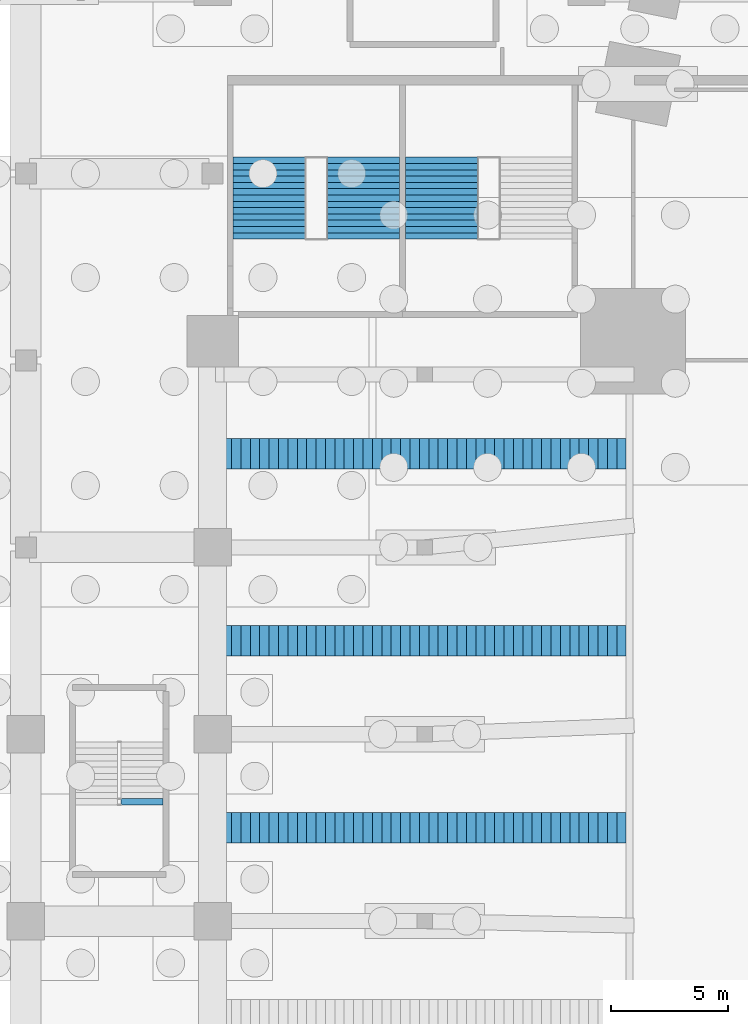
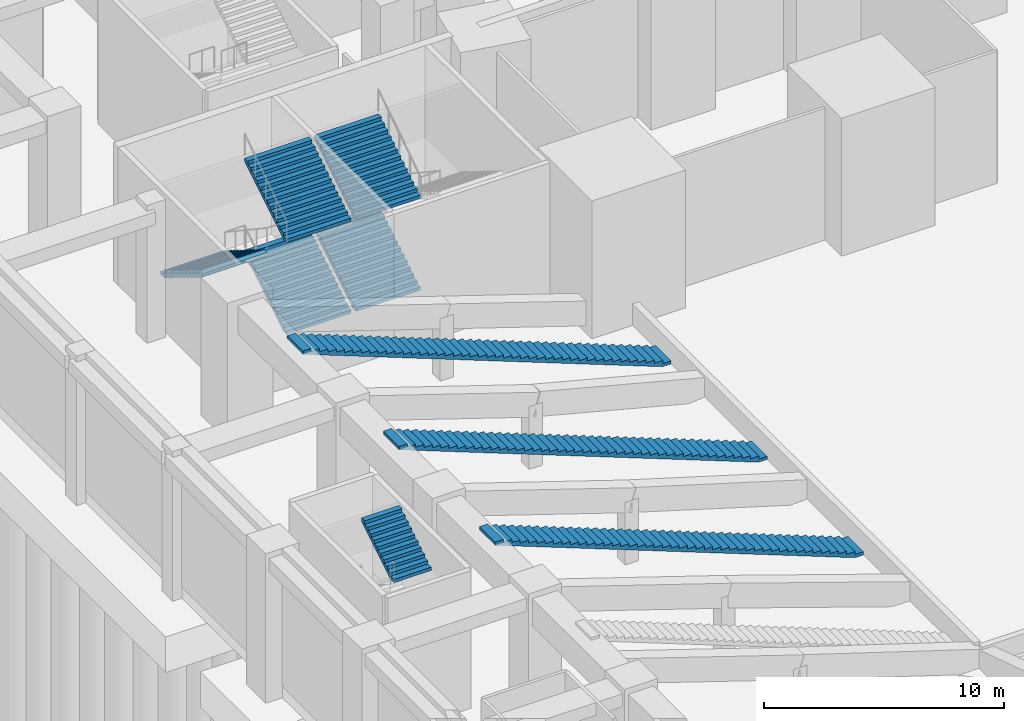
# One storey, part 15 of 30: 9 stair flights, 6 elements without a shape of their own.
"""IFC4 building model written with IfcOpenShell, lengths in metres."""

import ifcopenshell
import ifcopenshell.guid

model = None  # the IFC model being written
_history = None  # IfcOwnerHistory: only IFC2X3 demands one
_inside = {}  # id of a spatial element -> (the spatial element, [elements in it])
_under = {}  # id of a project, library or spatial element -> (it, [spatial elements below it])
_declared = {}  # id of a project -> (the project, [libraries it declares])
_typed = {}  # id of a type object -> (the type object, [elements of that type])
_made_of = {}  # id of a material, layer set ... -> (it, [elements and type objects made of it])


def new_model(schema):
    """Start an empty IFC model of exactly this schema.

    Asked for "IFC4X3", IfcOpenShell would pick the latest addendum, in which some entities
    have other attributes; the version numbers below select the first issue.
    IFC2X3 requires an IfcOwnerHistory on every rooted entity: one is made here for all.
    """
    global model, _history
    if schema == "IFC4X3":
        model = ifcopenshell.file(schema_version=(4, 3, 0, 0))
    else:
        model = ifcopenshell.file(schema=schema)
    _inside.clear()
    _under.clear()
    _declared.clear()
    _typed.clear()
    _made_of.clear()
    _history = None
    if model.schema == "IFC2X3":
        org = make("IfcOrganization", Name="unknown")
        user = make(
            "IfcPersonAndOrganization",
            ThePerson=make("IfcPerson", FamilyName="unknown"),
            TheOrganization=org,
        )
        app = make(
            "IfcApplication",
            ApplicationDeveloper=org,
            Version="unknown",
            ApplicationFullName="unknown",
            ApplicationIdentifier="unknown",
        )
        _history = make(
            "IfcOwnerHistory",
            OwningUser=user,
            OwningApplication=app,
            ChangeAction="ADDED",
            CreationDate=0,
        )
    return model


def make(cls, **values):
    """One entity of the class cls with the attributes given. An attribute that is None is left unset."""
    return model.create_entity(
        cls, **{name: value for name, value in values.items() if value is not None}
    )


def rooted(cls, **values):
    """An entity with a GlobalId (a new one), such as an element, a storey or a relation."""
    return make(cls, GlobalId=ifcopenshell.guid.new(), OwnerHistory=_history, **values)


def si_unit(unit_type, name, prefix=None):
    """IfcSIUnit, for example si_unit("LENGTHUNIT", "METRE", prefix="MILLI")."""
    return make("IfcSIUnit", UnitType=unit_type, Prefix=prefix, Name=name)


def assignment(units):
    """IfcUnitAssignment: the units of a project."""
    return None if units is None else make("IfcUnitAssignment", Units=units)


def point(xyz):
    """IfcCartesianPoint."""
    return None if xyz is None else make("IfcCartesianPoint", Coordinates=xyz)


def direction(xyz):
    """IfcDirection."""
    return None if xyz is None else make("IfcDirection", DirectionRatios=xyz)


def frame(location, z_axis=None, x_axis=None):
    """IfcAxis2Placement3D, a coordinate frame: its origin and axes. An axis left out is left unset."""
    return make(
        "IfcAxis2Placement3D",
        Location=point(location),
        Axis=direction(z_axis),
        RefDirection=direction(x_axis),
    )


def origin():
    """The frame at (0, 0, 0) with its axes left unset."""
    return frame((0.0, 0.0, 0.0))


def place(relative_to, where):
    """IfcLocalPlacement: puts the frame where relative to a parent placement (None: the world)."""
    return make(
        "IfcLocalPlacement", PlacementRelTo=relative_to, RelativePlacement=where
    )


def context(
    kind, dimensions, precision=None, world=None, true_north=None, identifier=None
):
    """IfcGeometricRepresentationContext, for example the 3D "Model" context."""
    return make(
        "IfcGeometricRepresentationContext",
        ContextIdentifier=identifier,
        ContextType=kind,
        CoordinateSpaceDimension=dimensions,
        Precision=precision,
        WorldCoordinateSystem=world,
        TrueNorth=true_north,
    )


def subcontext(parent, identifier, kind, view, scale=None):
    """IfcGeometricRepresentationSubContext, for example "Body" below "Model"."""
    return make(
        "IfcGeometricRepresentationSubContext",
        ContextIdentifier=identifier,
        ContextType=kind,
        ParentContext=parent,
        TargetScale=scale,
        TargetView=view,
    )


def project(units=None, contexts=None):
    """IfcProject with its units and contexts."""
    return rooted(
        "IfcProject",
        Name="project",
        RepresentationContexts=contexts,
        UnitsInContext=assignment(units),
    )


def spatial(cls, under=None, at=None, **own):
    """A site, building, storey or space (cls), placed at a placement, below another one or the project."""
    s = rooted(cls, ObjectPlacement=at, **own)
    if under is not None:
        _under.setdefault(under.id(), (under, []))[1].append(s)
    return s


def polyline(points):
    """IfcPolyline through the points."""
    return make("IfcPolyline", Points=[point(p) for p in points])


def outline(outer, holes=None, kind="AREA"):
    """IfcArbitraryClosedProfileDef: a profile drawn as a closed curve; with holes, ...WithVoids."""
    if holes is None:
        return make("IfcArbitraryClosedProfileDef", ProfileType=kind, OuterCurve=outer)
    return make(
        "IfcArbitraryProfileDefWithVoids",
        ProfileType=kind,
        OuterCurve=outer,
        InnerCurves=holes,
    )


def extrude(swept, where, along, depth):
    """IfcExtrudedAreaSolid: the profile swept, set in the frame where, extruded along a direction by depth."""
    return make(
        "IfcExtrudedAreaSolid",
        SweptArea=swept,
        Position=where,
        ExtrudedDirection=direction(along),
        Depth=depth,
    )


def shape(context_of_items, identifier, shape_type, items):
    """IfcShapeRepresentation: the items that make up one representation, for example the "Body"."""
    return make(
        "IfcShapeRepresentation",
        ContextOfItems=context_of_items,
        RepresentationIdentifier=identifier,
        RepresentationType=shape_type,
        Items=items,
    )


def material(Name=None, Category=None):
    """IfcMaterial."""
    return make("IfcMaterial", Name=Name, Category=Category)


def made_of(thing, what):
    """Note that an element or type object is made of a material, layer set ...; save() writes the relation."""
    if what is not None:
        _made_of.setdefault(what.id(), (what, []))[1].append(thing)
    return thing


def type_object(cls, material=None, **own):
    """A type object (cls), such as IfcWallType, which elements share."""
    return made_of(rooted(cls, **own), material)


def element(
    cls,
    number,
    at=None,
    inside=None,
    cuts=None,
    type_object=None,
    material=None,
    context=None,
    identifier="Body",
    shape_type=None,
    held_by="IfcProductDefinitionShape",
    body=None,
    shapes=None,
    **own,
):
    """One element of the class cls, such as IfcWall. Its Tag is "e" and its number.

    at: its placement. inside: the storey or other place that contains it. cuts: it is an
    opening in that element (IfcRelVoidsElement). A single representation is given by context,
    identifier, shape_type and body (its items); several are given by shapes. held_by: the class
    of the entity that holds the representations. save() writes the other relations.
    """
    e = rooted(cls, Tag="e%d" % number, ObjectPlacement=at, **own)
    if body is not None:
        shapes = [shape(context, identifier, shape_type, body)]
    if shapes is not None:
        e.Representation = make(held_by, Representations=shapes)
    if inside is not None:
        _inside.setdefault(inside.id(), (inside, []))[1].append(e)
    if cuts is not None:
        rooted(
            "IfcRelVoidsElement", RelatingBuildingElement=cuts, RelatedOpeningElement=e
        )
    if type_object is not None:
        _typed.setdefault(type_object.id(), (type_object, []))[1].append(e)
    return made_of(e, material)


def aggregate(whole, parts):
    """IfcRelAggregates: a whole, such as a stair, and the parts it consists of."""
    return rooted("IfcRelAggregates", RelatingObject=whole, RelatedObjects=parts)


def save(model, path):
    """Write the relations noted so far, then the file.

    IfcRelAggregates (storeys below a building ...), IfcRelContainedInSpatialStructure (elements
    in a storey), IfcRelDefinesByType, IfcRelAssociatesMaterial and IfcRelDeclares: one each for
    every whole, place, type object, material and project.
    """
    for whole, parts in _under.values():
        aggregate(whole, parts)
    for where, things in _inside.values():
        rooted(
            "IfcRelContainedInSpatialStructure",
            RelatedElements=things,
            RelatingStructure=where,
        )
    for kind, things in _typed.values():
        rooted("IfcRelDefinesByType", RelatedObjects=things, RelatingType=kind)
    for what, things in _made_of.values():
        rooted("IfcRelAssociatesMaterial", RelatedObjects=things, RelatingMaterial=what)
    for by, libraries in _declared.values():
        rooted("IfcRelDeclares", RelatingContext=by, RelatedDefinitions=libraries)
    model.write(path)


model = new_model("IFC4")

# Units and contexts
model_context = context("Model", 3, precision=1e-05, world=origin(), true_north=direction((0.0, 1.0)))
body_context = subcontext(model_context, "Body", "Model", "MODEL_VIEW")
ifc_project = project(units=[si_unit("LENGTHUNIT", "METRE"), si_unit("AREAUNIT", "SQUARE_METRE"), si_unit("VOLUMEUNIT", "CUBIC_METRE"), si_unit("PLANEANGLEUNIT", "RADIAN"), si_unit("MASSUNIT", "GRAM", prefix="KILO")], contexts=[model_context])

# Site, building, storey
site_placement = place(None, origin())
site = spatial("IfcSite", under=ifc_project, at=site_placement, CompositionType="ELEMENT")
building_placement = place(site_placement, origin())
building = spatial("IfcBuilding", under=site, at=building_placement, Name="Isbrekke Arena Tower", CompositionType="ELEMENT")
storey_placement = place(building_placement, frame((0.0, 0.0, -7.0)))
storey = spatial("IfcBuildingStorey", under=building, at=storey_placement, Name="B1", CompositionType="ELEMENT", Elevation=-7.0)

# Stair, stair flight
ifc_material_1 = material(Name="Concrete B45 (C45/55) precast", Category="concrete")
stair_type_1 = type_object("IfcStairType", Name="AS402 AISLE STAIR 1300 WIDE, 45 RISERS 155", PredefinedType="STRAIGHT_RUN_STAIR", material=ifc_material_1)
stair_1_placement = place(storey_placement, origin())
stair_1 = element("IfcStair", 1, at=stair_1_placement, inside=storey, type_object=stair_type_1, Name="AW38 aisle stair", PredefinedType="STRAIGHT_RUN_STAIR")
ifc_material_2 = material(Name="Concrete B45 (C45/55) precast", Category="concrete")
stair_flight_type_1 = type_object("IfcStairFlightType", Name="AF 1300 AISLE FLIGHT 402", PredefinedType="STRAIGHT", material=ifc_material_2)
stair_flight_1_placement = place(storey_placement, frame((-30.300048828125, -38.0, 0.0), z_axis=(0.0, 0.0, 1.0), x_axis=(-1.0, 0.0, 0.0)))
stair_flight_1 = element("IfcStairFlight", 2, at=stair_flight_1_placement, type_object=stair_flight_type_1, Name="AW38 flight 1", NumberOfRisers=45, NumberOfTreads=44, PredefinedType="STRAIGHT", RiserHeight=0.155555556, TreadLength=0.4023, context=body_context, shape_type="SweptSolid", body=[
    extrude(outline(polyline([(0.0, 0.0), (0.0, 0.155517578125), (0.40234375, 0.155517578125), (0.40234375, 0.31103515625), (0.8046875, 0.31103515625), (0.8046875, 0.466552734375), (1.206787109375, 0.466552734375), (1.206787109375, 0.622314453125), (1.609130859375, 0.622314453125), (1.609130859375, 0.77783203125), (2.011474609375, 0.77783203125), (2.011474609375, 0.933349609375), (2.413818359375, 0.933349609375), (2.413818359375, 1.0888671875), (2.816162109375, 1.0888671875), (2.816162109375, 1.244384765625), (3.218505859375, 1.244384765625), (3.218505859375, 1.39990234375), (3.62060546875, 1.39990234375), (3.62060546875, 1.5556640625), (4.02294921875, 1.5556640625), (4.02294921875, 1.711181640625), (4.42529296875, 1.711181640625), (4.42529296875, 1.86669921875), (4.82763671875, 1.86669921875), (4.82763671875, 2.022216796875), (5.22998046875, 2.022216796875), (5.22998046875, 2.177734375), (5.632080078125, 2.177734375), (5.632080078125, 2.333251953125), (6.034423828125, 2.333251953125), (6.034423828125, 2.48876953125), (6.436767578125, 2.48876953125), (6.436767578125, 2.64453125), (6.839111328125, 2.64453125), (6.839111328125, 2.800048828125), (7.241455078125, 2.800048828125), (7.241455078125, 2.95556640625), (7.643798828125, 2.95556640625), (7.643798828125, 3.111083984375), (8.0458984375, 3.111083984375), (8.0458984375, 3.2666015625), (8.4482421875, 3.2666015625), (8.4482421875, 3.422119140625), (8.8505859375, 3.422119140625), (8.8505859375, 3.577880859375), (9.2529296875, 3.577880859375), (9.2529296875, 3.7333984375), (9.6552734375, 3.7333984375), (9.6552734375, 3.888916015625), (10.0576171875, 3.888916015625), (10.0576171875, 4.04443359375), (10.459716796875, 4.04443359375), (10.459716796875, 4.199951171875), (10.862060546875, 4.199951171875), (10.862060546875, 4.35546875), (11.264404296875, 4.35546875), (11.264404296875, 4.51123046875), (11.666748046875, 4.51123046875), (11.666748046875, 4.666748046875), (12.069091796875, 4.666748046875), (12.069091796875, 4.822265625), (12.47119140625, 4.822265625), (12.47119140625, 4.977783203125), (12.87353515625, 4.977783203125), (12.87353515625, 5.13330078125), (13.27587890625, 5.13330078125), (13.27587890625, 5.288818359375), (13.67822265625, 5.288818359375), (13.67822265625, 5.4443359375), (14.08056640625, 5.4443359375), (14.08056640625, 5.60009765625), (14.48291015625, 5.60009765625), (14.48291015625, 5.755615234375), (14.885009765625, 5.755615234375), (14.885009765625, 5.9111328125), (15.287353515625, 5.9111328125), (15.287353515625, 6.066650390625), (15.689697265625, 6.066650390625), (15.689697265625, 6.22216796875), (16.092041015625, 6.22216796875), (16.092041015625, 6.377685546875), (16.494384765625, 6.377685546875), (16.494384765625, 6.533447265625), (16.896484375, 6.533447265625), (16.896484375, 6.68896484375), (17.298828125, 6.68896484375), (17.298828125, 6.844482421875), (17.701171875, 6.844482421875), (17.701171875, 7.0), (17.701171875, 6.683837890625), (0.415771484375, 0.0), (0.0, 0.0)])), frame((0.0, 0.64990234375, 0.0), z_axis=(0.0, -1.0, 0.0), x_axis=(1.0, 0.0, 0.0)), (0.0, 0.0, 1.0), 1.300048828125),
])
aggregate(stair_1, [stair_flight_1])

stair_2_placement = place(storey_placement, origin())
stair_2 = element("IfcStair", 3, at=stair_2_placement, inside=storey, type_object=stair_type_1, Name="AW30 aisle stair", PredefinedType="STRAIGHT_RUN_STAIR")
stair_flight_2_placement = place(storey_placement, frame((-30.300048828125, -30.0, 0.0), z_axis=(0.0, 0.0, 1.0), x_axis=(-1.0, 0.0, 0.0)))
stair_flight_2 = element("IfcStairFlight", 4, at=stair_flight_2_placement, type_object=stair_flight_type_1, Name="AW30 flight 1", NumberOfRisers=45, NumberOfTreads=44, PredefinedType="STRAIGHT", RiserHeight=0.155555556, TreadLength=0.4023, context=body_context, shape_type="SweptSolid", body=[
    extrude(outline(polyline([(0.0, 0.0), (0.0, 0.155517578125), (0.40234375, 0.155517578125), (0.40234375, 0.31103515625), (0.8046875, 0.31103515625), (0.8046875, 0.466552734375), (1.206787109375, 0.466552734375), (1.206787109375, 0.622314453125), (1.609130859375, 0.622314453125), (1.609130859375, 0.77783203125), (2.011474609375, 0.77783203125), (2.011474609375, 0.933349609375), (2.413818359375, 0.933349609375), (2.413818359375, 1.0888671875), (2.816162109375, 1.0888671875), (2.816162109375, 1.244384765625), (3.218505859375, 1.244384765625), (3.218505859375, 1.39990234375), (3.62060546875, 1.39990234375), (3.62060546875, 1.5556640625), (4.02294921875, 1.5556640625), (4.02294921875, 1.711181640625), (4.42529296875, 1.711181640625), (4.42529296875, 1.86669921875), (4.82763671875, 1.86669921875), (4.82763671875, 2.022216796875), (5.22998046875, 2.022216796875), (5.22998046875, 2.177734375), (5.632080078125, 2.177734375), (5.632080078125, 2.333251953125), (6.034423828125, 2.333251953125), (6.034423828125, 2.48876953125), (6.436767578125, 2.48876953125), (6.436767578125, 2.64453125), (6.839111328125, 2.64453125), (6.839111328125, 2.800048828125), (7.241455078125, 2.800048828125), (7.241455078125, 2.95556640625), (7.643798828125, 2.95556640625), (7.643798828125, 3.111083984375), (8.0458984375, 3.111083984375), (8.0458984375, 3.2666015625), (8.4482421875, 3.2666015625), (8.4482421875, 3.422119140625), (8.8505859375, 3.422119140625), (8.8505859375, 3.577880859375), (9.2529296875, 3.577880859375), (9.2529296875, 3.7333984375), (9.6552734375, 3.7333984375), (9.6552734375, 3.888916015625), (10.0576171875, 3.888916015625), (10.0576171875, 4.04443359375), (10.459716796875, 4.04443359375), (10.459716796875, 4.199951171875), (10.862060546875, 4.199951171875), (10.862060546875, 4.35546875), (11.264404296875, 4.35546875), (11.264404296875, 4.51123046875), (11.666748046875, 4.51123046875), (11.666748046875, 4.666748046875), (12.069091796875, 4.666748046875), (12.069091796875, 4.822265625), (12.47119140625, 4.822265625), (12.47119140625, 4.977783203125), (12.87353515625, 4.977783203125), (12.87353515625, 5.13330078125), (13.27587890625, 5.13330078125), (13.27587890625, 5.288818359375), (13.67822265625, 5.288818359375), (13.67822265625, 5.4443359375), (14.08056640625, 5.4443359375), (14.08056640625, 5.60009765625), (14.48291015625, 5.60009765625), (14.48291015625, 5.755615234375), (14.885009765625, 5.755615234375), (14.885009765625, 5.9111328125), (15.287353515625, 5.9111328125), (15.287353515625, 6.066650390625), (15.689697265625, 6.066650390625), (15.689697265625, 6.22216796875), (16.092041015625, 6.22216796875), (16.092041015625, 6.377685546875), (16.494384765625, 6.377685546875), (16.494384765625, 6.533447265625), (16.896484375, 6.533447265625), (16.896484375, 6.68896484375), (17.298828125, 6.68896484375), (17.298828125, 6.844482421875), (17.701171875, 6.844482421875), (17.701171875, 7.0), (17.701171875, 6.683837890625), (0.415771484375, 0.0), (0.0, 0.0)])), frame((0.0, 0.64990234375, 0.0), z_axis=(0.0, -1.0, 0.0), x_axis=(1.0, 0.0, 0.0)), (0.0, 0.0, 1.0), 1.300048828125),
])
aggregate(stair_2, [stair_flight_2])

stair_3_placement = place(storey_placement, origin())
stair_3 = element("IfcStair", 5, at=stair_3_placement, inside=storey, type_object=stair_type_1, Name="AW22 aisle stair", PredefinedType="STRAIGHT_RUN_STAIR")
stair_flight_3_placement = place(storey_placement, frame((-30.300048828125, -22.0, 0.0), z_axis=(0.0, 0.0, 1.0), x_axis=(-1.0, 0.0, 0.0)))
stair_flight_3 = element("IfcStairFlight", 6, at=stair_flight_3_placement, type_object=stair_flight_type_1, Name="AW22 flight 1", NumberOfRisers=45, NumberOfTreads=44, PredefinedType="STRAIGHT", RiserHeight=0.155555556, TreadLength=0.4023, context=body_context, shape_type="SweptSolid", body=[
    extrude(outline(polyline([(0.0, 0.0), (0.0, 0.155517578125), (0.40234375, 0.155517578125), (0.40234375, 0.31103515625), (0.8046875, 0.31103515625), (0.8046875, 0.466552734375), (1.206787109375, 0.466552734375), (1.206787109375, 0.622314453125), (1.609130859375, 0.622314453125), (1.609130859375, 0.77783203125), (2.011474609375, 0.77783203125), (2.011474609375, 0.933349609375), (2.413818359375, 0.933349609375), (2.413818359375, 1.0888671875), (2.816162109375, 1.0888671875), (2.816162109375, 1.244384765625), (3.218505859375, 1.244384765625), (3.218505859375, 1.39990234375), (3.62060546875, 1.39990234375), (3.62060546875, 1.5556640625), (4.02294921875, 1.5556640625), (4.02294921875, 1.711181640625), (4.42529296875, 1.711181640625), (4.42529296875, 1.86669921875), (4.82763671875, 1.86669921875), (4.82763671875, 2.022216796875), (5.22998046875, 2.022216796875), (5.22998046875, 2.177734375), (5.632080078125, 2.177734375), (5.632080078125, 2.333251953125), (6.034423828125, 2.333251953125), (6.034423828125, 2.48876953125), (6.436767578125, 2.48876953125), (6.436767578125, 2.64453125), (6.839111328125, 2.64453125), (6.839111328125, 2.800048828125), (7.241455078125, 2.800048828125), (7.241455078125, 2.95556640625), (7.643798828125, 2.95556640625), (7.643798828125, 3.111083984375), (8.0458984375, 3.111083984375), (8.0458984375, 3.2666015625), (8.4482421875, 3.2666015625), (8.4482421875, 3.422119140625), (8.8505859375, 3.422119140625), (8.8505859375, 3.577880859375), (9.2529296875, 3.577880859375), (9.2529296875, 3.7333984375), (9.6552734375, 3.7333984375), (9.6552734375, 3.888916015625), (10.0576171875, 3.888916015625), (10.0576171875, 4.04443359375), (10.459716796875, 4.04443359375), (10.459716796875, 4.199951171875), (10.862060546875, 4.199951171875), (10.862060546875, 4.35546875), (11.264404296875, 4.35546875), (11.264404296875, 4.51123046875), (11.666748046875, 4.51123046875), (11.666748046875, 4.666748046875), (12.069091796875, 4.666748046875), (12.069091796875, 4.822265625), (12.47119140625, 4.822265625), (12.47119140625, 4.977783203125), (12.87353515625, 4.977783203125), (12.87353515625, 5.13330078125), (13.27587890625, 5.13330078125), (13.27587890625, 5.288818359375), (13.67822265625, 5.288818359375), (13.67822265625, 5.4443359375), (14.08056640625, 5.4443359375), (14.08056640625, 5.60009765625), (14.48291015625, 5.60009765625), (14.48291015625, 5.755615234375), (14.885009765625, 5.755615234375), (14.885009765625, 5.9111328125), (15.287353515625, 5.9111328125), (15.287353515625, 6.066650390625), (15.689697265625, 6.066650390625), (15.689697265625, 6.22216796875), (16.092041015625, 6.22216796875), (16.092041015625, 6.377685546875), (16.494384765625, 6.377685546875), (16.494384765625, 6.533447265625), (16.896484375, 6.533447265625), (16.896484375, 6.68896484375), (17.298828125, 6.68896484375), (17.298828125, 6.844482421875), (17.701171875, 6.844482421875), (17.701171875, 7.0), (17.701171875, 6.683837890625), (0.415771484375, 0.0), (0.0, 0.0)])), frame((0.0, 0.64990234375, 0.0), z_axis=(0.0, -1.0, 0.0), x_axis=(1.0, 0.0, 0.0)), (0.0, 0.0, 1.0), 1.300048828125),
])
aggregate(stair_3, [stair_flight_3])

ifc_material_3 = material(Name="Concrete B45 (C45/55) precast", Category="concrete")
stair_type_2 = type_object("IfcStairType", Name="ST70 STAIR 1800 WIDE, 42 RISERS 167", PredefinedType="HALF_TURN_STAIR", material=ifc_material_3)
stair_4_placement = place(storey_placement, origin())
stair_4 = element("IfcStair", 7, at=stair_4_placement, inside=storey, type_object=stair_type_2, Name="P4 stair B1", PredefinedType="HALF_TURN_STAIR")
ifc_material_4 = material(Name="Concrete B45 (C45/55) precast", Category="concrete")
stair_flight_type_2 = type_object("IfcStairFlightType", Name="SF 1800 FLIGHT", PredefinedType="STRAIGHT", material=ifc_material_4)
stair_flight_4_placement = place(storey_placement, frame((-51.02490234375, -37.02490234375, 5.166748046875), z_axis=(0.0, 0.0, 1.0), x_axis=(0.0, 1.0, 0.0)))
stair_flight_4 = element("IfcStairFlight", 8, at=stair_flight_4_placement, type_object=stair_flight_type_2, Name="P4 flight 4", NumberOfRisers=11, NumberOfTreads=10, PredefinedType="STRAIGHT", RiserHeight=0.166666667, TreadLength=0.27, context=body_context, shape_type="SweptSolid", body=[
    extrude(outline(polyline([(0.0, 0.0), (0.0, 0.166748046875), (0.27001953125, 0.166748046875), (0.27001953125, 0.333251953125), (0.5400390625, 0.333251953125), (0.5400390625, 0.5), (0.81005859375, 0.5), (0.81005859375, 0.666748046875), (1.080078125, 0.666748046875), (1.080078125, 0.833251953125), (1.35009765625, 0.833251953125), (1.35009765625, 1.0), (1.6201171875, 1.0), (1.6201171875, 1.166748046875), (1.889892578125, 1.166748046875), (1.889892578125, 1.333251953125), (2.159912109375, 1.333251953125), (2.159912109375, 1.5), (2.429931640625, 1.5), (2.429931640625, 1.666748046875), (2.699951171875, 1.666748046875), (2.699951171875, 1.833251953125), (2.699951171875, 1.490478515625), (0.285400390625, 0.0), (0.0, 0.0)])), frame((0.0, 0.89990234375, 0.0), z_axis=(0.0, -1.0, 0.0), x_axis=(1.0, 0.0, 0.0)), (0.0, 0.0, 1.0), 0.90087890625),
    extrude(outline(polyline([(0.0, 0.0), (0.0, 0.166748046875), (0.27001953125, 0.166748046875), (0.27001953125, 0.333251953125), (0.5400390625, 0.333251953125), (0.5400390625, 0.5), (0.81005859375, 0.5), (0.81005859375, 0.666748046875), (1.080078125, 0.666748046875), (1.080078125, 0.833251953125), (1.35009765625, 0.833251953125), (1.35009765625, 1.0), (1.6201171875, 1.0), (1.6201171875, 1.166748046875), (1.889892578125, 1.166748046875), (1.889892578125, 1.333251953125), (2.159912109375, 1.333251953125), (2.159912109375, 1.5), (2.429931640625, 1.5), (2.429931640625, 1.666748046875), (2.699951171875, 1.666748046875), (2.699951171875, 1.833251953125), (2.699951171875, 1.490478515625), (0.285400390625, 0.0), (0.0, 0.0)])), frame((0.0, 0.0009765625, 0.0), z_axis=(0.0, -1.0, 0.0), x_axis=(1.0, 0.0, 0.0)), (0.0, 0.0, 1.0), 0.90087890625),
])
aggregate(stair_4, [stair_flight_4])

# Stair, stair flights
ifc_material_5 = material(Name="Concrete B45 (C45/55) cast in situ", Category="concrete")
stair_type_3 = type_object("IfcStairType", Name="ST70 STAIR 3090 WIDE, 42 RISERS 167", PredefinedType="HALF_TURN_STAIR", material=ifc_material_5)
stair_5_placement = place(storey_placement, origin())
stair_5 = element("IfcStair", 9, at=stair_5_placement, inside=storey, type_object=stair_type_3, Name="X3 exit stair B1", PredefinedType="HALF_TURN_STAIR")
ifc_material_6 = material(Name="Concrete B45 (C45/55) cast in situ", Category="concrete")
stair_flight_type_3 = type_object("IfcStairFlightType", Name="SF 3090 FLIGHT", PredefinedType="STRAIGHT", material=ifc_material_6)
stair_flight_5_placement = place(storey_placement, frame((-38.205078125, -12.804931640625, 0.0), z_axis=(0.0, 0.0, 1.0), x_axis=(0.0, 1.0, 0.0)))
stair_flight_5 = element("IfcStairFlight", 10, at=stair_flight_5_placement, type_object=stair_flight_type_3, Name="X3 flight 1", NumberOfRisers=14, NumberOfTreads=13, PredefinedType="STRAIGHT", RiserHeight=0.166666667, TreadLength=0.27, context=body_context, shape_type="SweptSolid", body=[
    extrude(outline(polyline([(0.0, 0.0), (0.0, 0.166748046875), (0.27001953125, 0.166748046875), (0.27001953125, 0.333251953125), (0.5400390625, 0.333251953125), (0.5400390625, 0.5), (0.81005859375, 0.5), (0.81005859375, 0.666748046875), (1.080078125, 0.666748046875), (1.080078125, 0.833251953125), (1.35009765625, 0.833251953125), (1.35009765625, 1.0), (1.6201171875, 1.0), (1.6201171875, 1.166748046875), (1.889892578125, 1.166748046875), (1.889892578125, 1.333251953125), (2.159912109375, 1.333251953125), (2.159912109375, 1.5), (2.429931640625, 1.5), (2.429931640625, 1.666748046875), (2.699951171875, 1.666748046875), (2.699951171875, 1.833251953125), (2.969970703125, 1.833251953125), (2.969970703125, 2.0), (3.239990234375, 2.0), (3.239990234375, 2.166748046875), (3.510009765625, 2.166748046875), (3.510009765625, 2.333251953125), (3.510009765625, 1.990478515625), (0.285400390625, 0.0), (0.0, 0.0)])), frame((0.0, 1.544921875, 0.0), z_axis=(0.0, -1.0, 0.0), x_axis=(1.0, 0.0, 0.0)), (0.0, 0.0, 1.0), 1.031005859375),
    extrude(outline(polyline([(0.0, 0.0), (0.0, 0.166748046875), (0.27001953125, 0.166748046875), (0.27001953125, 0.333251953125), (0.5400390625, 0.333251953125), (0.5400390625, 0.5), (0.81005859375, 0.5), (0.81005859375, 0.666748046875), (1.080078125, 0.666748046875), (1.080078125, 0.833251953125), (1.35009765625, 0.833251953125), (1.35009765625, 1.0), (1.6201171875, 1.0), (1.6201171875, 1.166748046875), (1.889892578125, 1.166748046875), (1.889892578125, 1.333251953125), (2.159912109375, 1.333251953125), (2.159912109375, 1.5), (2.429931640625, 1.5), (2.429931640625, 1.666748046875), (2.699951171875, 1.666748046875), (2.699951171875, 1.833251953125), (2.969970703125, 1.833251953125), (2.969970703125, 2.0), (3.239990234375, 2.0), (3.239990234375, 2.166748046875), (3.510009765625, 2.166748046875), (3.510009765625, 2.333251953125), (3.510009765625, 1.990478515625), (0.285400390625, 0.0), (0.0, 0.0)])), frame((0.0, 0.51611328125, 0.0), z_axis=(0.0, -1.0, 0.0), x_axis=(1.0, 0.0, 0.0)), (0.0, 0.0, 1.0), 1.031982421875),
    extrude(outline(polyline([(0.0, 0.0), (0.0, 0.166748046875), (0.27001953125, 0.166748046875), (0.27001953125, 0.333251953125), (0.5400390625, 0.333251953125), (0.5400390625, 0.5), (0.81005859375, 0.5), (0.81005859375, 0.666748046875), (1.080078125, 0.666748046875), (1.080078125, 0.833251953125), (1.35009765625, 0.833251953125), (1.35009765625, 1.0), (1.6201171875, 1.0), (1.6201171875, 1.166748046875), (1.889892578125, 1.166748046875), (1.889892578125, 1.333251953125), (2.159912109375, 1.333251953125), (2.159912109375, 1.5), (2.429931640625, 1.5), (2.429931640625, 1.666748046875), (2.699951171875, 1.666748046875), (2.699951171875, 1.833251953125), (2.969970703125, 1.833251953125), (2.969970703125, 2.0), (3.239990234375, 2.0), (3.239990234375, 2.166748046875), (3.510009765625, 2.166748046875), (3.510009765625, 2.333251953125), (3.510009765625, 1.990478515625), (0.285400390625, 0.0), (0.0, 0.0)])), frame((0.0, -0.51416015625, 0.0), z_axis=(0.0, -1.0, 0.0), x_axis=(1.0, 0.0, 0.0)), (0.0, 0.0, 1.0), 1.031005859375),
])
stair_flight_6_placement = place(storey_placement, frame((-38.205078125, -12.804931640625, 4.666748046875), z_axis=(0.0, 0.0, 1.0), x_axis=(0.0, 1.0, 0.0)))
stair_flight_6 = element("IfcStairFlight", 11, at=stair_flight_6_placement, type_object=stair_flight_type_3, Name="X3 flight 3", NumberOfRisers=14, NumberOfTreads=13, PredefinedType="STRAIGHT", RiserHeight=0.166666667, TreadLength=0.27, context=body_context, shape_type="SweptSolid", body=[
    extrude(outline(polyline([(0.0, 0.0), (0.0, 0.166748046875), (0.27001953125, 0.166748046875), (0.27001953125, 0.333251953125), (0.5400390625, 0.333251953125), (0.5400390625, 0.5), (0.81005859375, 0.5), (0.81005859375, 0.666748046875), (1.080078125, 0.666748046875), (1.080078125, 0.833251953125), (1.35009765625, 0.833251953125), (1.35009765625, 1.0), (1.6201171875, 1.0), (1.6201171875, 1.166748046875), (1.889892578125, 1.166748046875), (1.889892578125, 1.333251953125), (2.159912109375, 1.333251953125), (2.159912109375, 1.5), (2.429931640625, 1.5), (2.429931640625, 1.666748046875), (2.699951171875, 1.666748046875), (2.699951171875, 1.833251953125), (2.969970703125, 1.833251953125), (2.969970703125, 2.0), (3.239990234375, 2.0), (3.239990234375, 2.166748046875), (3.510009765625, 2.166748046875), (3.510009765625, 2.333251953125), (3.510009765625, 1.990478515625), (0.285400390625, 0.0), (0.0, 0.0)])), frame((0.0, 1.544921875, 0.0), z_axis=(0.0, -1.0, 0.0), x_axis=(1.0, 0.0, 0.0)), (0.0, 0.0, 1.0), 1.031005859375),
    extrude(outline(polyline([(0.0, 0.0), (0.0, 0.166748046875), (0.27001953125, 0.166748046875), (0.27001953125, 0.333251953125), (0.5400390625, 0.333251953125), (0.5400390625, 0.5), (0.81005859375, 0.5), (0.81005859375, 0.666748046875), (1.080078125, 0.666748046875), (1.080078125, 0.833251953125), (1.35009765625, 0.833251953125), (1.35009765625, 1.0), (1.6201171875, 1.0), (1.6201171875, 1.166748046875), (1.889892578125, 1.166748046875), (1.889892578125, 1.333251953125), (2.159912109375, 1.333251953125), (2.159912109375, 1.5), (2.429931640625, 1.5), (2.429931640625, 1.666748046875), (2.699951171875, 1.666748046875), (2.699951171875, 1.833251953125), (2.969970703125, 1.833251953125), (2.969970703125, 2.0), (3.239990234375, 2.0), (3.239990234375, 2.166748046875), (3.510009765625, 2.166748046875), (3.510009765625, 2.333251953125), (3.510009765625, 1.990478515625), (0.285400390625, 0.0), (0.0, 0.0)])), frame((0.0, 0.51611328125, 0.0), z_axis=(0.0, -1.0, 0.0), x_axis=(1.0, 0.0, 0.0)), (0.0, 0.0, 1.0), 1.031982421875),
    extrude(outline(polyline([(0.0, 0.0), (0.0, 0.166748046875), (0.27001953125, 0.166748046875), (0.27001953125, 0.333251953125), (0.5400390625, 0.333251953125), (0.5400390625, 0.5), (0.81005859375, 0.5), (0.81005859375, 0.666748046875), (1.080078125, 0.666748046875), (1.080078125, 0.833251953125), (1.35009765625, 0.833251953125), (1.35009765625, 1.0), (1.6201171875, 1.0), (1.6201171875, 1.166748046875), (1.889892578125, 1.166748046875), (1.889892578125, 1.333251953125), (2.159912109375, 1.333251953125), (2.159912109375, 1.5), (2.429931640625, 1.5), (2.429931640625, 1.666748046875), (2.699951171875, 1.666748046875), (2.699951171875, 1.833251953125), (2.969970703125, 1.833251953125), (2.969970703125, 2.0), (3.239990234375, 2.0), (3.239990234375, 2.166748046875), (3.510009765625, 2.166748046875), (3.510009765625, 2.333251953125), (3.510009765625, 1.990478515625), (0.285400390625, 0.0), (0.0, 0.0)])), frame((0.0, -0.51416015625, 0.0), z_axis=(0.0, -1.0, 0.0), x_axis=(1.0, 0.0, 0.0)), (0.0, 0.0, 1.0), 1.031005859375),
])
aggregate(stair_5, [stair_flight_5, stair_flight_6])

stair_6_placement = place(storey_placement, origin())
stair_6 = element("IfcStair", 12, at=stair_6_placement, inside=storey, type_object=stair_type_3, Name="X4 exit stair B1", PredefinedType="HALF_TURN_STAIR")
stair_flight_7_placement = place(storey_placement, frame((-41.544921875, -12.804931640625, 0.0), z_axis=(0.0, 0.0, 1.0), x_axis=(0.0, 1.0, 0.0)))
stair_flight_7 = element("IfcStairFlight", 13, at=stair_flight_7_placement, type_object=stair_flight_type_3, Name="X4 flight 1", NumberOfRisers=14, NumberOfTreads=13, PredefinedType="STRAIGHT", RiserHeight=0.166666667, TreadLength=0.27, context=body_context, shape_type="SweptSolid", body=[
    extrude(outline(polyline([(0.0, 0.0), (0.0, 0.166748046875), (0.27001953125, 0.166748046875), (0.27001953125, 0.333251953125), (0.5400390625, 0.333251953125), (0.5400390625, 0.5), (0.81005859375, 0.5), (0.81005859375, 0.666748046875), (1.080078125, 0.666748046875), (1.080078125, 0.833251953125), (1.35009765625, 0.833251953125), (1.35009765625, 1.0), (1.6201171875, 1.0), (1.6201171875, 1.166748046875), (1.889892578125, 1.166748046875), (1.889892578125, 1.333251953125), (2.159912109375, 1.333251953125), (2.159912109375, 1.5), (2.429931640625, 1.5), (2.429931640625, 1.666748046875), (2.699951171875, 1.666748046875), (2.699951171875, 1.833251953125), (2.969970703125, 1.833251953125), (2.969970703125, 2.0), (3.239990234375, 2.0), (3.239990234375, 2.166748046875), (3.510009765625, 2.166748046875), (3.510009765625, 2.333251953125), (3.510009765625, 1.990478515625), (0.285400390625, 0.0), (0.0, 0.0)])), frame((0.0, 1.544921875, 0.0), z_axis=(0.0, -1.0, 0.0), x_axis=(1.0, 0.0, 0.0)), (0.0, 0.0, 1.0), 1.031005859375),
    extrude(outline(polyline([(0.0, 0.0), (0.0, 0.166748046875), (0.27001953125, 0.166748046875), (0.27001953125, 0.333251953125), (0.5400390625, 0.333251953125), (0.5400390625, 0.5), (0.81005859375, 0.5), (0.81005859375, 0.666748046875), (1.080078125, 0.666748046875), (1.080078125, 0.833251953125), (1.35009765625, 0.833251953125), (1.35009765625, 1.0), (1.6201171875, 1.0), (1.6201171875, 1.166748046875), (1.889892578125, 1.166748046875), (1.889892578125, 1.333251953125), (2.159912109375, 1.333251953125), (2.159912109375, 1.5), (2.429931640625, 1.5), (2.429931640625, 1.666748046875), (2.699951171875, 1.666748046875), (2.699951171875, 1.833251953125), (2.969970703125, 1.833251953125), (2.969970703125, 2.0), (3.239990234375, 2.0), (3.239990234375, 2.166748046875), (3.510009765625, 2.166748046875), (3.510009765625, 2.333251953125), (3.510009765625, 1.990478515625), (0.285400390625, 0.0), (0.0, 0.0)])), frame((0.0, 0.51611328125, 0.0), z_axis=(0.0, -1.0, 0.0), x_axis=(1.0, 0.0, 0.0)), (0.0, 0.0, 1.0), 1.031982421875),
    extrude(outline(polyline([(0.0, 0.0), (0.0, 0.166748046875), (0.27001953125, 0.166748046875), (0.27001953125, 0.333251953125), (0.5400390625, 0.333251953125), (0.5400390625, 0.5), (0.81005859375, 0.5), (0.81005859375, 0.666748046875), (1.080078125, 0.666748046875), (1.080078125, 0.833251953125), (1.35009765625, 0.833251953125), (1.35009765625, 1.0), (1.6201171875, 1.0), (1.6201171875, 1.166748046875), (1.889892578125, 1.166748046875), (1.889892578125, 1.333251953125), (2.159912109375, 1.333251953125), (2.159912109375, 1.5), (2.429931640625, 1.5), (2.429931640625, 1.666748046875), (2.699951171875, 1.666748046875), (2.699951171875, 1.833251953125), (2.969970703125, 1.833251953125), (2.969970703125, 2.0), (3.239990234375, 2.0), (3.239990234375, 2.166748046875), (3.510009765625, 2.166748046875), (3.510009765625, 2.333251953125), (3.510009765625, 1.990478515625), (0.285400390625, 0.0), (0.0, 0.0)])), frame((0.0, -0.51416015625, 0.0), z_axis=(0.0, -1.0, 0.0), x_axis=(1.0, 0.0, 0.0)), (0.0, 0.0, 1.0), 1.031005859375),
])
stair_flight_8_placement = place(storey_placement, frame((-45.580078125, -9.294921875, 2.333251953125), z_axis=(0.0, 0.0, 1.0), x_axis=(0.0, -1.0, 0.0)))
stair_flight_8 = element("IfcStairFlight", 14, at=stair_flight_8_placement, type_object=stair_flight_type_3, Name="X4 flight 2", NumberOfRisers=14, NumberOfTreads=13, PredefinedType="STRAIGHT", RiserHeight=0.166666667, TreadLength=0.27, context=body_context, shape_type="SweptSolid", body=[
    extrude(outline(polyline([(0.0, 0.0), (0.0, 0.166748046875), (0.27001953125, 0.166748046875), (0.27001953125, 0.333251953125), (0.5400390625, 0.333251953125), (0.5400390625, 0.5), (0.81005859375, 0.5), (0.81005859375, 0.666748046875), (1.080078125, 0.666748046875), (1.080078125, 0.833251953125), (1.35009765625, 0.833251953125), (1.35009765625, 1.0), (1.6201171875, 1.0), (1.6201171875, 1.166748046875), (1.889892578125, 1.166748046875), (1.889892578125, 1.333251953125), (2.159912109375, 1.333251953125), (2.159912109375, 1.5), (2.429931640625, 1.5), (2.429931640625, 1.666748046875), (2.699951171875, 1.666748046875), (2.699951171875, 1.833251953125), (2.969970703125, 1.833251953125), (2.969970703125, 2.0), (3.239990234375, 2.0), (3.239990234375, 2.166748046875), (3.510009765625, 2.166748046875), (3.510009765625, 2.333251953125), (3.510009765625, 1.990478515625), (0.285400390625, 0.0), (0.0, 0.0)])), frame((0.0, 1.544921875, 0.0), z_axis=(0.0, -1.0, 0.0), x_axis=(1.0, 0.0, 0.0)), (0.0, 0.0, 1.0), 1.031005859375),
    extrude(outline(polyline([(0.0, 0.0), (0.0, 0.166748046875), (0.27001953125, 0.166748046875), (0.27001953125, 0.333251953125), (0.5400390625, 0.333251953125), (0.5400390625, 0.5), (0.81005859375, 0.5), (0.81005859375, 0.666748046875), (1.080078125, 0.666748046875), (1.080078125, 0.833251953125), (1.35009765625, 0.833251953125), (1.35009765625, 1.0), (1.6201171875, 1.0), (1.6201171875, 1.166748046875), (1.889892578125, 1.166748046875), (1.889892578125, 1.333251953125), (2.159912109375, 1.333251953125), (2.159912109375, 1.5), (2.429931640625, 1.5), (2.429931640625, 1.666748046875), (2.699951171875, 1.666748046875), (2.699951171875, 1.833251953125), (2.969970703125, 1.833251953125), (2.969970703125, 2.0), (3.239990234375, 2.0), (3.239990234375, 2.166748046875), (3.510009765625, 2.166748046875), (3.510009765625, 2.333251953125), (3.510009765625, 1.990478515625), (0.285400390625, 0.0), (0.0, 0.0)])), frame((0.0, 0.51611328125, 0.0), z_axis=(0.0, -1.0, 0.0), x_axis=(1.0, 0.0, 0.0)), (0.0, 0.0, 1.0), 1.031982421875),
    extrude(outline(polyline([(0.0, 0.0), (0.0, 0.166748046875), (0.27001953125, 0.166748046875), (0.27001953125, 0.333251953125), (0.5400390625, 0.333251953125), (0.5400390625, 0.5), (0.81005859375, 0.5), (0.81005859375, 0.666748046875), (1.080078125, 0.666748046875), (1.080078125, 0.833251953125), (1.35009765625, 0.833251953125), (1.35009765625, 1.0), (1.6201171875, 1.0), (1.6201171875, 1.166748046875), (1.889892578125, 1.166748046875), (1.889892578125, 1.333251953125), (2.159912109375, 1.333251953125), (2.159912109375, 1.5), (2.429931640625, 1.5), (2.429931640625, 1.666748046875), (2.699951171875, 1.666748046875), (2.699951171875, 1.833251953125), (2.969970703125, 1.833251953125), (2.969970703125, 2.0), (3.239990234375, 2.0), (3.239990234375, 2.166748046875), (3.510009765625, 2.166748046875), (3.510009765625, 2.333251953125), (3.510009765625, 1.990478515625), (0.285400390625, 0.0), (0.0, 0.0)])), frame((0.0, -0.51416015625, 0.0), z_axis=(0.0, -1.0, 0.0), x_axis=(1.0, 0.0, 0.0)), (0.0, 0.0, 1.0), 1.031005859375),
])
stair_flight_9_placement = place(storey_placement, frame((-41.544921875, -12.804931640625, 4.666748046875), z_axis=(0.0, 0.0, 1.0), x_axis=(0.0, 1.0, 0.0)))
stair_flight_9 = element("IfcStairFlight", 15, at=stair_flight_9_placement, type_object=stair_flight_type_3, Name="X4 flight 3", NumberOfRisers=14, NumberOfTreads=13, PredefinedType="STRAIGHT", RiserHeight=0.166666667, TreadLength=0.27, context=body_context, shape_type="SweptSolid", body=[
    extrude(outline(polyline([(0.0, 0.0), (0.0, 0.166748046875), (0.27001953125, 0.166748046875), (0.27001953125, 0.333251953125), (0.5400390625, 0.333251953125), (0.5400390625, 0.5), (0.81005859375, 0.5), (0.81005859375, 0.666748046875), (1.080078125, 0.666748046875), (1.080078125, 0.833251953125), (1.35009765625, 0.833251953125), (1.35009765625, 1.0), (1.6201171875, 1.0), (1.6201171875, 1.166748046875), (1.889892578125, 1.166748046875), (1.889892578125, 1.333251953125), (2.159912109375, 1.333251953125), (2.159912109375, 1.5), (2.429931640625, 1.5), (2.429931640625, 1.666748046875), (2.699951171875, 1.666748046875), (2.699951171875, 1.833251953125), (2.969970703125, 1.833251953125), (2.969970703125, 2.0), (3.239990234375, 2.0), (3.239990234375, 2.166748046875), (3.510009765625, 2.166748046875), (3.510009765625, 2.333251953125), (3.510009765625, 1.990478515625), (0.285400390625, 0.0), (0.0, 0.0)])), frame((0.0, 1.544921875, 0.0), z_axis=(0.0, -1.0, 0.0), x_axis=(1.0, 0.0, 0.0)), (0.0, 0.0, 1.0), 1.031005859375),
    extrude(outline(polyline([(0.0, 0.0), (0.0, 0.166748046875), (0.27001953125, 0.166748046875), (0.27001953125, 0.333251953125), (0.5400390625, 0.333251953125), (0.5400390625, 0.5), (0.81005859375, 0.5), (0.81005859375, 0.666748046875), (1.080078125, 0.666748046875), (1.080078125, 0.833251953125), (1.35009765625, 0.833251953125), (1.35009765625, 1.0), (1.6201171875, 1.0), (1.6201171875, 1.166748046875), (1.889892578125, 1.166748046875), (1.889892578125, 1.333251953125), (2.159912109375, 1.333251953125), (2.159912109375, 1.5), (2.429931640625, 1.5), (2.429931640625, 1.666748046875), (2.699951171875, 1.666748046875), (2.699951171875, 1.833251953125), (2.969970703125, 1.833251953125), (2.969970703125, 2.0), (3.239990234375, 2.0), (3.239990234375, 2.166748046875), (3.510009765625, 2.166748046875), (3.510009765625, 2.333251953125), (3.510009765625, 1.990478515625), (0.285400390625, 0.0), (0.0, 0.0)])), frame((0.0, 0.51611328125, 0.0), z_axis=(0.0, -1.0, 0.0), x_axis=(1.0, 0.0, 0.0)), (0.0, 0.0, 1.0), 1.031982421875),
    extrude(outline(polyline([(0.0, 0.0), (0.0, 0.166748046875), (0.27001953125, 0.166748046875), (0.27001953125, 0.333251953125), (0.5400390625, 0.333251953125), (0.5400390625, 0.5), (0.81005859375, 0.5), (0.81005859375, 0.666748046875), (1.080078125, 0.666748046875), (1.080078125, 0.833251953125), (1.35009765625, 0.833251953125), (1.35009765625, 1.0), (1.6201171875, 1.0), (1.6201171875, 1.166748046875), (1.889892578125, 1.166748046875), (1.889892578125, 1.333251953125), (2.159912109375, 1.333251953125), (2.159912109375, 1.5), (2.429931640625, 1.5), (2.429931640625, 1.666748046875), (2.699951171875, 1.666748046875), (2.699951171875, 1.833251953125), (2.969970703125, 1.833251953125), (2.969970703125, 2.0), (3.239990234375, 2.0), (3.239990234375, 2.166748046875), (3.510009765625, 2.166748046875), (3.510009765625, 2.333251953125), (3.510009765625, 1.990478515625), (0.285400390625, 0.0), (0.0, 0.0)])), frame((0.0, -0.51416015625, 0.0), z_axis=(0.0, -1.0, 0.0), x_axis=(1.0, 0.0, 0.0)), (0.0, 0.0, 1.0), 1.031005859375),
])
aggregate(stair_6, [stair_flight_7, stair_flight_8, stair_flight_9])

save(model, "model.ifc")
